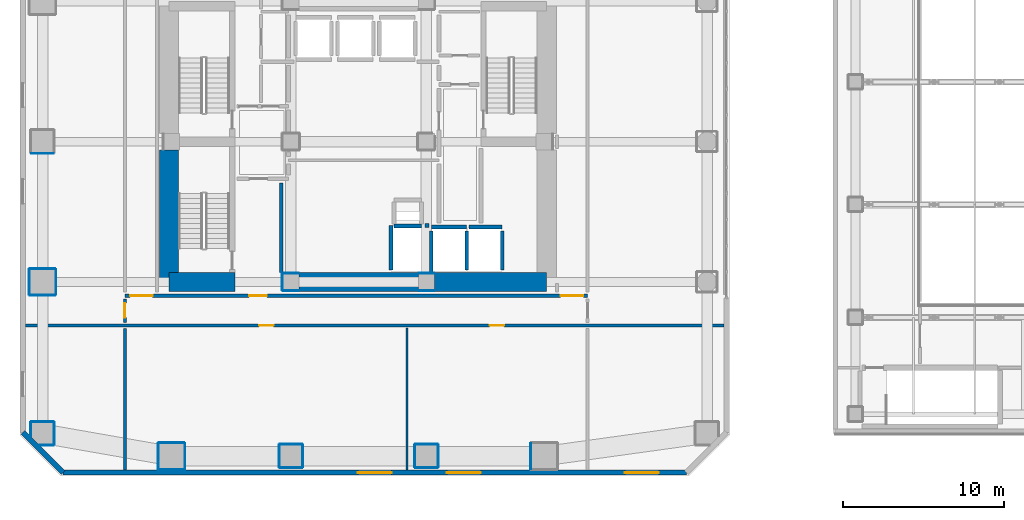
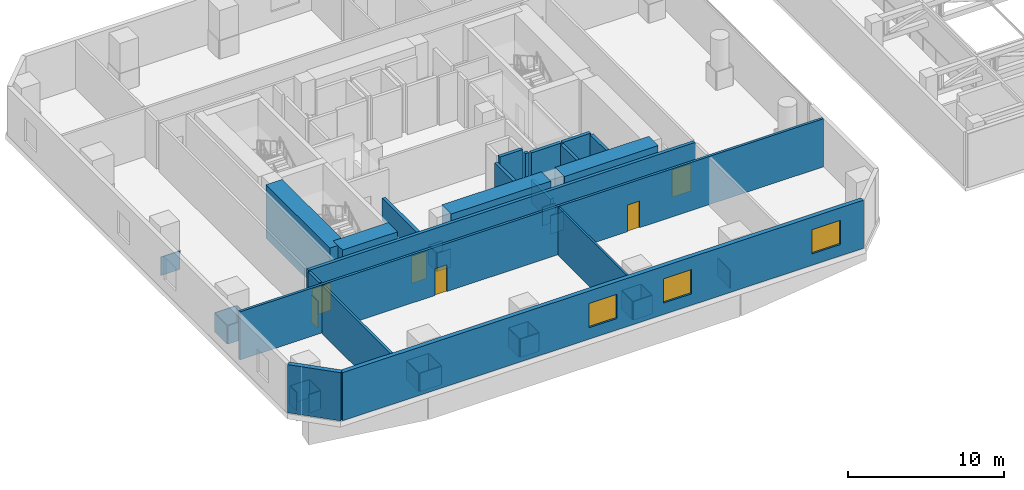
# One storey, part 18 of 25: 47 walls, 6 doors, 3 windows, 9 openings.
"""IFC4 building model written with IfcOpenShell, lengths in metres."""

from ifc_helpers import new_model, si_unit, direction, frame, frame_2d, origin, place, context, subcontext, project, spatial, rectangle, extrude, material, layer, layer_set, type_object, element, fill, save


model = new_model("IFC4")

# Units and contexts
model_context = context("Model", 3, precision=1e-05, world=origin(), true_north=direction((0.0, 1.0)))
body_context = subcontext(model_context, "Body", "Model", "MODEL_VIEW")
ifc_project = project(units=[si_unit("LENGTHUNIT", "METRE"), si_unit("AREAUNIT", "SQUARE_METRE"), si_unit("VOLUMEUNIT", "CUBIC_METRE"), si_unit("PLANEANGLEUNIT", "RADIAN"), si_unit("MASSUNIT", "GRAM", prefix="KILO")], contexts=[model_context])

# Site, building, storey
site_placement = place(None, origin())
site = spatial("IfcSite", under=ifc_project, at=site_placement, CompositionType="ELEMENT")
building_placement = place(site_placement, origin())
building = spatial("IfcBuilding", under=site, at=building_placement, Name="Solanera Arch Residences", CompositionType="ELEMENT")
storey_placement = place(building_placement, frame((0.0, 0.0, 17.800048828125)))
storey = spatial("IfcBuildingStorey", under=building, at=storey_placement, Name="L04", CompositionType="ELEMENT", Elevation=17.800048828125)

# Walls
ifc_material_1 = material(Name="Fire-Rated Gypsum Stud Partition", Category="gypsum")
ifc_layer_1 = layer(ifc_material_1, 0.06005859375)
ifc_layer_set_1 = layer_set([ifc_layer_1], Name="Fire-Rated Gypsum Stud Partition")
wall_type_1 = type_object("IfcWallType", Name="Column Acoustic Furring Wall 60", PredefinedType="PARTITIONING", material=ifc_layer_set_1)
for number, where, z_axis, x_axis, name in (
    (1, (20.300048828125, 21.468017578125, 0.0), (0.0, 0.0, 1.0), (1.0, 0.0, 0.0), "L04 Column Furring 1S"),
    (2, (20.300048828125, 22.531982421875, 0.0), (0.0, 0.0, 1.0), (1.0, 0.0, 0.0), "L04 Column Furring 1N"),
):
    element("IfcWall", number, at=place(storey_placement, frame(where, z_axis=z_axis, x_axis=x_axis)), inside=storey, type_object=wall_type_1, Name=name, PredefinedType="PARTITIONING", context=body_context, shape_type="SweptSolid", body=[
        extrude(rectangle(XDim=0.989990234375, YDim=0.06005859375, at=frame_2d((0.4951171875, 0.0))), origin(), (0.0, 0.0, 1.0), 1.449951171875),
    ])
wall_1_placement = place(storey_placement, frame((20.26806640625, 21.5, 0.0), z_axis=(0.0, 0.0, 1.0), x_axis=(0.0, 1.0, 0.0)))
element("IfcWall", 3, at=wall_1_placement, inside=storey, type_object=wall_type_1, Name="L04 Column Furring 1W", PredefinedType="PARTITIONING", context=body_context, shape_type="SweptSolid", body=[
    extrude(rectangle(XDim=1.0, YDim=0.06005859375, at=frame_2d((0.5, 0.0))), origin(), (0.0, 0.0, 1.0), 1.449951171875),
])
for number, where, z_axis, x_axis, name in (
    (4, (28.7099609375, 21.468017578125, 0.0), (0.0, 0.0, 1.0), (1.0, 0.0, 0.0), "L04 Column Furring 2S"),
    (5, (28.7099609375, 22.531982421875, 0.0), (0.0, 0.0, 1.0), (1.0, 0.0, 0.0), "L04 Column Furring 2N"),
):
    element("IfcWall", number, at=place(storey_placement, frame(where, z_axis=z_axis, x_axis=x_axis)), inside=storey, type_object=wall_type_1, Name=name, PredefinedType="PARTITIONING", context=body_context, shape_type="SweptSolid", body=[
        extrude(rectangle(XDim=0.97998046875, YDim=0.06005859375, at=frame_2d((0.489990234375, 0.0))), origin(), (0.0, 0.0, 1.0), 1.449951171875),
    ])
for number, where, z_axis, x_axis, name in (
    (6, (12.60009765625, 10.367919921875, 0.0), (0.0, 0.0, 1.0), (1.0, 0.0, 0.0), "L04 Column Furring 9S"),
    (7, (12.60009765625, 12.031982421875, 0.0), (0.0, 0.0, 1.0), (1.0, 0.0, 0.0), "L04 Column Furring 9N"),
):
    element("IfcWall", number, at=place(storey_placement, frame(where, z_axis=z_axis, x_axis=x_axis)), inside=storey, type_object=wall_type_1, Name=name, PredefinedType="PARTITIONING", context=body_context, shape_type="SweptSolid", body=[
        extrude(rectangle(XDim=1.599853515625, YDim=0.06005859375, at=frame_2d((0.7998046875, 0.0))), origin(), (0.0, 0.0, 1.0), 1.449951171875),
    ])
for number, where, z_axis, x_axis, name in (
    (8, (12.568115234375, 10.39990234375, 0.0), (0.0, 0.0, 1.0), (0.0, 1.0, 0.0), "L04 Column Furring 9W"),
    (9, (14.23193359375, 10.39990234375, 0.0), (0.0, 0.0, 1.0), (0.0, 1.0, 0.0), "L04 Column Furring 9E"),
    (10, (35.66796875, 10.39990234375, 0.0), (0.0, 0.0, 1.0), (0.0, 1.0, 0.0), "L04 Column Furring 10W"),
):
    element("IfcWall", number, at=place(storey_placement, frame(where, z_axis=z_axis, x_axis=x_axis)), inside=storey, type_object=wall_type_1, Name=name, PredefinedType="PARTITIONING", context=body_context, shape_type="SweptSolid", body=[
        extrude(rectangle(XDim=1.60009765625, YDim=0.06005859375, at=frame_2d((0.800048828125, 0.0))), origin(), (0.0, 0.0, 1.0), 1.449951171875),
    ])
for number, where, z_axis, x_axis, name in (
    (11, (4.60009765625, 21.16796875, 0.0), (0.0, 0.0, 1.0), (1.0, 0.0, 0.0), "L04 Column Furring 15S"),
    (12, (4.60009765625, 22.83203125, 0.0), (0.0, 0.0, 1.0), (1.0, 0.0, 0.0), "L04 Column Furring 15N"),
):
    element("IfcWall", number, at=place(storey_placement, frame(where, z_axis=z_axis, x_axis=x_axis)), inside=storey, type_object=wall_type_1, Name=name, PredefinedType="PARTITIONING", context=body_context, shape_type="SweptSolid", body=[
        extrude(rectangle(XDim=1.599853515625, YDim=0.06005859375, at=frame_2d((0.7998046875, 0.0))), origin(), (0.0, 0.0, 1.0), 1.449951171875),
    ])
for number, where, z_axis, x_axis, name in (
    (13, (4.568115234375, 21.199951171875, 0.0), (0.0, 0.0, 1.0), (0.0, 1.0, 0.0), "L04 Column Furring 15W"),
    (14, (6.23193359375, 21.199951171875, 0.0), (0.0, 0.0, 1.0), (0.0, 1.0, 0.0), "L04 Column Furring 15E"),
):
    element("IfcWall", number, at=place(storey_placement, frame(where, z_axis=z_axis, x_axis=x_axis)), inside=storey, type_object=wall_type_1, Name=name, PredefinedType="PARTITIONING", context=body_context, shape_type="SweptSolid", body=[
        extrude(rectangle(XDim=1.60009765625, YDim=0.06005859375, at=frame_2d((0.800048828125, 0.0))), origin(), (0.0, 0.0, 1.0), 1.449951171875),
    ])
wall_2_placement = place(storey_placement, frame((4.699951171875, 29.968017578125, 0.0), z_axis=(0.0, 0.0, 1.0), x_axis=(1.0, 0.0, 0.0)))
element("IfcWall", 15, at=wall_2_placement, inside=storey, type_object=wall_type_1, Name="L04 Column Furring 16S", PredefinedType="PARTITIONING", context=body_context, shape_type="SweptSolid", body=[
    extrude(rectangle(XDim=1.400146484375, YDim=0.06005859375, at=frame_2d((0.7001953125, 0.0))), origin(), (0.0, 0.0, 1.0), 1.449951171875),
])
wall_3_placement = place(storey_placement, frame((5.239013671875, 11.867919921875, 0.0), z_axis=(0.0, 0.0, 1.0), x_axis=(1.0, 0.0, 0.0)))
element("IfcWall", 16, at=wall_3_placement, inside=storey, type_object=wall_type_1, Name="L04 Column Furring 21S", PredefinedType="PARTITIONING", context=body_context, shape_type="SweptSolid", body=[
    extrude(rectangle(XDim=0.861083984375, YDim=0.06005859375, at=frame_2d((0.4306640625, 0.0))), origin(), (0.0, 0.0, 1.0), 1.449951171875),
])
wall_4_placement = place(storey_placement, frame((4.699951171875, 13.33203125, 0.0), z_axis=(0.0, 0.0, 1.0), x_axis=(1.0, 0.0, 0.0)))
element("IfcWall", 17, at=wall_4_placement, inside=storey, type_object=wall_type_1, Name="L04 Column Furring 21N", PredefinedType="PARTITIONING", context=body_context, shape_type="SweptSolid", body=[
    extrude(rectangle(XDim=1.400146484375, YDim=0.06005859375, at=frame_2d((0.7001953125, 0.0))), origin(), (0.0, 0.0, 1.0), 1.449951171875),
])
wall_5_placement = place(storey_placement, frame((4.66796875, 12.43896484375, 0.0), z_axis=(0.0, 0.0, 1.0), x_axis=(0.0, 1.0, 0.0)))
element("IfcWall", 18, at=wall_5_placement, inside=storey, type_object=wall_type_1, Name="L04 Column Furring 21W", PredefinedType="PARTITIONING", context=body_context, shape_type="SweptSolid", body=[
    extrude(rectangle(XDim=0.861083984375, YDim=0.06005859375, at=frame_2d((0.4306640625, 0.0))), origin(), (0.0, 0.0, 1.0), 1.449951171875),
])
wall_6_placement = place(storey_placement, frame((6.132080078125, 11.89990234375, 0.0), z_axis=(0.0, 0.0, 1.0), x_axis=(0.0, 1.0, 0.0)))
element("IfcWall", 19, at=wall_6_placement, inside=storey, type_object=wall_type_1, Name="L04 Column Furring 21E", PredefinedType="PARTITIONING", context=body_context, shape_type="SweptSolid", body=[
    extrude(rectangle(XDim=1.400146484375, YDim=0.06005859375, at=frame_2d((0.7001953125, 0.0))), origin(), (0.0, 0.0, 1.0), 1.449951171875),
])
for number, where, z_axis, x_axis, name in (
    (20, (20.10009765625, 10.468017578125, 0.0), (0.0, 0.0, 1.0), (1.0, 0.0, 0.0), "L04 Column Furring 25S"),
    (21, (20.10009765625, 11.931884765625, 0.0), (0.0, 0.0, 1.0), (1.0, 0.0, 0.0), "L04 Column Furring 25N"),
    (22, (20.068115234375, 10.5, 0.0), (0.0, 0.0, 1.0), (0.0, 1.0, 0.0), "L04 Column Furring 25W"),
    (23, (21.531982421875, 10.5, 0.0), (0.0, 0.0, 1.0), (0.0, 1.0, 0.0), "L04 Column Furring 25E"),
    (24, (28.5, 10.468017578125, 0.0), (0.0, 0.0, 1.0), (1.0, 0.0, 0.0), "L04 Column Furring 26S"),
    (25, (28.5, 11.931884765625, 0.0), (0.0, 0.0, 1.0), (1.0, 0.0, 0.0), "L04 Column Furring 26N"),
    (26, (28.468017578125, 10.5, 0.0), (0.0, 0.0, 1.0), (0.0, 1.0, 0.0), "L04 Column Furring 26W"),
    (27, (29.931884765625, 10.5, 0.0), (0.0, 0.0, 1.0), (0.0, 1.0, 0.0), "L04 Column Furring 26E"),
):
    element("IfcWall", number, at=place(storey_placement, frame(where, z_axis=z_axis, x_axis=x_axis)), inside=storey, type_object=wall_type_1, Name=name, PredefinedType="PARTITIONING", context=body_context, shape_type="SweptSolid", body=[
        extrude(rectangle(XDim=1.39990234375, YDim=0.06005859375, at=frame_2d((0.699951171875, 0.0))), origin(), (0.0, 0.0, 1.0), 1.449951171875),
    ])
ifc_material_2 = material(Name="Concrete C55/67 (f'c = 60 MPa)", Category="concrete")
ifc_layer_2 = layer(ifc_material_2, 1.199951171875)
ifc_layer_set_2 = layer_set([ifc_layer_2], Name="Concrete C55/67 (f'c = 60 MPa)")
wall_type_2 = type_object("IfcWallType", Name="Core Shear Wall CW-1200", PredefinedType="SHEAR", material=ifc_layer_set_2)
wall_7_placement = place(storey_placement, frame((13.239990234375, 22.0, 0.0), z_axis=(0.0, 0.0, 1.0), x_axis=(0.0, 1.0, 0.0)))
element("IfcWall", 28, at=wall_7_placement, inside=storey, type_object=wall_type_2, Name="L04 West Core South Shear Wall", PredefinedType="SHEAR", context=body_context, shape_type="SweptSolid", body=[
    extrude(rectangle(XDim=8.195068359375, YDim=1.199951171875, at=frame_2d((4.09765625, 0.0))), origin(), (0.0, 0.0, 1.0), 4.199951171875),
])
wall_8_placement = place(storey_placement, frame((13.239990234375, 22.0, 0.0), z_axis=(0.0, 0.0, 1.0), x_axis=(1.0, 0.0, 0.0)))
element("IfcWall", 29, at=wall_8_placement, inside=storey, type_object=wall_type_2, Name="L04 South-West Core Shear Wall", PredefinedType="SHEAR", context=body_context, shape_type="SweptSolid", body=[
    extrude(rectangle(XDim=4.080078125, YDim=1.199951171875, at=frame_2d((2.0400390625, 0.0))), origin(), (0.0, 0.0, 1.0), 4.199951171875),
])
wall_9_placement = place(storey_placement, frame((29.705078125, 22.0, 0.0), z_axis=(0.0, 0.0, 1.0), x_axis=(1.0, 0.0, 0.0)))
element("IfcWall", 30, at=wall_9_placement, inside=storey, type_object=wall_type_2, Name="L04 South-East Core Shear Wall", PredefinedType="SHEAR", context=body_context, shape_type="SweptSolid", body=[
    extrude(rectangle(XDim=6.954833984375, YDim=1.199951171875, at=frame_2d((3.4775390625, 0.0))), origin(), (0.0, 0.0, 1.0), 4.199951171875),
])
wall_10_placement = place(storey_placement, frame((21.304931640625, 22.0, 0.0), z_axis=(0.0, 0.0, 1.0), x_axis=(1.0, 0.0, 0.0)))
element("IfcWall", 31, at=wall_10_placement, inside=storey, type_object=wall_type_2, Name="L04 Central South Core Shear Wall", PredefinedType="SHEAR", context=body_context, shape_type="SweptSolid", body=[
    extrude(rectangle(XDim=7.39013671875, YDim=1.199951171875, at=frame_2d((3.695068359375, 0.0))), origin(), (0.0, 0.0, 1.0), 4.199951171875),
])

# Wall, openings, doors
ifc_material_3 = material(Name="Autoclaved Aerated Concrete Blockwork", Category="masonry")
ifc_layer_3 = layer(ifc_material_3, 0.179931640625)
ifc_layer_set_3 = layer_set([ifc_layer_3], Name="Autoclaved Aerated Concrete Blockwork")
wall_type_3 = type_object("IfcWallType", Name="Corridor Fire Partition 180", PredefinedType="PARTITIONING", material=ifc_layer_set_3)
wall_11_placement = place(storey_placement, frame((4.35205078125, 19.300048828125, 0.0), z_axis=(0.0, 0.0, 1.0), x_axis=(1.0, 0.0, 0.0)))
wall_11 = element("IfcWall", 32, at=wall_11_placement, inside=storey, type_object=wall_type_3, Name="L04 Interior Partition H11", PredefinedType="PARTITIONING", context=body_context, shape_type="SweptSolid", body=[
    extrude(rectangle(XDim=43.2958984375, YDim=0.179931640625, at=frame_2d((21.64794921875, 0.0))), origin(), (0.0, 0.0, 1.0), 3.780029296875),
])
opening_1_placement = place(wall_11_placement, frame((14.471923828125, 0.0, 0.0)))
opening_1 = element("IfcOpeningElement", 33, at=opening_1_placement, cuts=wall_11, Name="Opening DI-02", PredefinedType="OPENING", context=body_context, shape_type="SweptSolid", body=[
    extrude(rectangle(XDim=0.89990234375, YDim=2.10009765625, at=frame_2d((0.449951171875, 1.050048828125))), frame((0.0, 0.10009765625, 0.0), z_axis=(0.0, -1.0, 0.0), x_axis=(1.0, 0.0, 0.0)), (0.0, 0.0, 1.0), 0.1999),
])
opening_2_placement = place(wall_11_placement, frame((28.77392578125, 0.0, 0.0)))
opening_2 = element("IfcOpeningElement", 34, at=opening_2_placement, cuts=wall_11, Name="Opening DI-02", PredefinedType="OPENING", context=body_context, shape_type="SweptSolid", body=[
    extrude(rectangle(XDim=0.89990234375, YDim=2.10009765625, at=frame_2d((0.449951171875, 1.050048828125))), frame((0.0, 0.10009765625, 0.0), z_axis=(0.0, -1.0, 0.0), x_axis=(1.0, 0.0, 0.0)), (0.0, 0.0, 1.0), 0.1999),
])
ifc_material_4 = material(Name="Fire-Rated Architectural Hardwood", Category="wood")
door_type_1 = type_object("IfcDoorType", Name="Suite Room Swing Door DI-02", OperationType="NOTDEFINED", PredefinedType="DOOR", material=ifc_material_4)
door_1_placement = place(opening_1_placement, origin())
door_1 = element("IfcDoor", 35, at=door_1_placement, inside=storey, type_object=door_type_1, Name="DR-L04-IN-026", OperationType="SINGLE_SWING_LEFT", OverallHeight=2.10009765625, OverallWidth=0.89990234375, PredefinedType="DOOR", context=body_context, shape_type="SweptSolid", body=[
    extrude(rectangle(XDim=0.89990234375, YDim=2.10009765625, at=frame_2d((0.449951171875, 1.050048828125))), frame((0.0, 0.02490234375, 0.0), z_axis=(0.0, -1.0, 0.0), x_axis=(1.0, 0.0, 0.0)), (0.0, 0.0, 1.0), 0.050048828125),
])
fill(opening_1, door_1)
door_2_placement = place(opening_2_placement, origin())
door_2 = element("IfcDoor", 36, at=door_2_placement, inside=storey, type_object=door_type_1, Name="DR-L04-IN-027", OperationType="SINGLE_SWING_RIGHT", OverallHeight=2.10009765625, OverallWidth=0.89990234375, PredefinedType="DOOR", context=body_context, shape_type="SweptSolid", body=[
    extrude(rectangle(XDim=0.89990234375, YDim=2.10009765625, at=frame_2d((0.449951171875, 1.050048828125))), frame((0.0, 0.02490234375, 0.0), z_axis=(0.0, -1.0, 0.0), x_axis=(1.0, 0.0, 0.0)), (0.0, 0.0, 1.0), 0.050048828125),
])
fill(opening_2, door_2)

# Wall
wall_12_placement = place(storey_placement, frame((10.5, 10.35205078125, 0.0), z_axis=(0.0, 0.0, 1.0), x_axis=(0.0, 1.0, 0.0)))
element("IfcWall", 37, at=wall_12_placement, inside=storey, type_object=wall_type_3, Name="L04 Interior Partition V10 1", PredefinedType="PARTITIONING", context=body_context, shape_type="SweptSolid", body=[
    extrude(rectangle(XDim=8.760009765625, YDim=0.179931640625, at=frame_2d((4.3798828125, 0.0))), origin(), (0.0, 0.0, 1.0), 3.780029296875),
])

# Wall, opening, door
wall_13_placement = place(storey_placement, frame((10.5, 19.488037109375, 0.0), z_axis=(0.0, 0.0, 1.0), x_axis=(0.0, 1.0, 0.0)))
wall_13 = element("IfcWall", 38, at=wall_13_placement, inside=storey, type_object=wall_type_3, Name="L04 Interior Partition V10 2", PredefinedType="PARTITIONING", context=body_context, shape_type="SweptSolid", body=[
    extrude(rectangle(XDim=1.44384765625, YDim=0.179931640625, at=frame_2d((0.721923828125, 0.0))), origin(), (0.0, 0.0, 1.0), 3.780029296875),
])
opening_3_placement = place(wall_13_placement, frame((0.301025390625, 0.0, 0.0)))
opening_3 = element("IfcOpeningElement", 39, at=opening_3_placement, cuts=wall_13, Name="Opening DI-02", PredefinedType="OPENING", context=body_context, shape_type="SweptSolid", body=[
    extrude(rectangle(XDim=0.89990234375, YDim=2.10009765625, at=frame_2d((0.449951171875, 1.050048828125))), frame((0.0, 0.10009765625, 0.0), z_axis=(0.0, -1.0, 0.0), x_axis=(1.0, 0.0, 0.0)), (0.0, 0.0, 1.0), 0.1999),
])
door_3_placement = place(opening_3_placement, origin())
door_3 = element("IfcDoor", 40, at=door_3_placement, inside=storey, type_object=door_type_1, Name="DR-L04-IN-028", OperationType="SINGLE_SWING_LEFT", OverallHeight=2.10009765625, OverallWidth=0.89990234375, PredefinedType="DOOR", context=body_context, shape_type="SweptSolid", body=[
    extrude(rectangle(XDim=0.89990234375, YDim=2.10009765625, at=frame_2d((0.449951171875, 1.050048828125))), frame((0.0, 0.02490234375, 0.0), z_axis=(0.0, -1.0, 0.0), x_axis=(1.0, 0.0, 0.0)), (0.0, 0.0, 1.0), 0.050048828125),
])
fill(opening_3, door_3)

# Wall, openings, windows
ifc_material_5 = material(Name="Precast Concrete C35/45", Category="concrete")
ifc_layer_4 = layer(ifc_material_5, 0.320068359375)
ifc_layer_set_4 = layer_set([ifc_layer_4], Name="Precast Concrete C35/45")
wall_type_4 = type_object("IfcWallType", Name="Exterior Wall Precast Masonry-Frame 320", PredefinedType="STANDARD", material=ifc_layer_set_4)
wall_14_placement = place(storey_placement, frame((45.320068359375, 10.179931640625, 0.0), z_axis=(0.0, 0.0, 1.0), x_axis=(-1.0, 0.0, 0.0)))
wall_14 = element("IfcWall", 41, at=wall_14_placement, inside=storey, type_object=wall_type_4, Name="L04 Podium Precast Masonry-Frame Wall 7", PredefinedType="STANDARD", context=body_context, shape_type="SweptSolid", body=[
    extrude(rectangle(XDim=38.64013671875, YDim=0.320068359375, at=frame_2d((19.320068359375, 0.0))), origin(), (0.0, 0.0, 1.0), 3.780029296875),
])
opening_4_placement = place(wall_14_placement, frame((1.7099609375, 0.0, 0.89990234375)))
opening_4 = element("IfcOpeningElement", 42, at=opening_4_placement, cuts=wall_14, Name="Opening W-04", PredefinedType="OPENING", context=body_context, shape_type="SweptSolid", body=[
    extrude(rectangle(XDim=2.10009765625, YDim=1.89990234375, at=frame_2d((1.050048828125, 0.949951171875))), frame((0.0, 0.169921875, 0.0), z_axis=(0.0, -1.0, 0.0), x_axis=(1.0, 0.0, 0.0)), (0.0, 0.0, 1.0), 0.3401),
])
opening_5_placement = place(wall_14_placement, frame((12.75, 0.0, 0.89990234375)))
opening_5 = element("IfcOpeningElement", 43, at=opening_5_placement, cuts=wall_14, Name="Opening W-04", PredefinedType="OPENING", context=body_context, shape_type="SweptSolid", body=[
    extrude(rectangle(XDim=2.10009765625, YDim=1.89990234375, at=frame_2d((1.050048828125, 0.949951171875))), frame((0.0, 0.169921875, 0.0), z_axis=(0.0, -1.0, 0.0), x_axis=(1.0, 0.0, 0.0)), (0.0, 0.0, 1.0), 0.3401),
])
opening_6_placement = place(wall_14_placement, frame((18.27001953125, 0.0, 0.89990234375)))
opening_6 = element("IfcOpeningElement", 44, at=opening_6_placement, cuts=wall_14, Name="Opening W-04", PredefinedType="OPENING", context=body_context, shape_type="SweptSolid", body=[
    extrude(rectangle(XDim=2.10009765625, YDim=1.89990234375, at=frame_2d((1.050048828125, 0.949951171875))), frame((0.0, 0.169921875, 0.0), z_axis=(0.0, -1.0, 0.0), x_axis=(1.0, 0.0, 0.0)), (0.0, 0.0, 1.0), 0.3401),
])
ifc_material_6 = material(Name="Double Glazed Low-E Laminated Glass", Category="glass")
window_type = type_object("IfcWindowType", Name="Punched Window W-04", PartitioningType="DOUBLE_PANEL_VERTICAL", PredefinedType="WINDOW", material=ifc_material_6)
window_1_placement = place(opening_4_placement, origin())
window_1 = element("IfcWindow", 45, at=window_1_placement, inside=storey, type_object=window_type, Name="L04 Podium Window 7.1", OverallHeight=1.89990234375, OverallWidth=2.10009765625, PartitioningType="SINGLE_PANEL", PredefinedType="WINDOW", context=body_context, shape_type="SweptSolid", body=[
    extrude(rectangle(XDim=2.10009765625, YDim=1.89990234375, at=frame_2d((1.050048828125, 0.949951171875))), frame((0.0, 0.030029296875, 0.0), z_axis=(0.0, -1.0, 0.0), x_axis=(1.0, 0.0, 0.0)), (0.0, 0.0, 1.0), 0.06005859375),
])
fill(opening_4, window_1)
window_2_placement = place(opening_5_placement, origin())
window_2 = element("IfcWindow", 46, at=window_2_placement, inside=storey, type_object=window_type, Name="L04 Podium Window 7.3", OverallHeight=1.89990234375, OverallWidth=2.10009765625, PartitioningType="SINGLE_PANEL", PredefinedType="WINDOW", context=body_context, shape_type="SweptSolid", body=[
    extrude(rectangle(XDim=2.10009765625, YDim=1.89990234375, at=frame_2d((1.050048828125, 0.949951171875))), frame((0.0, 0.030029296875, 0.0), z_axis=(0.0, -1.0, 0.0), x_axis=(1.0, 0.0, 0.0)), (0.0, 0.0, 1.0), 0.06005859375),
])
fill(opening_5, window_2)
window_3_placement = place(opening_6_placement, origin())
window_3 = element("IfcWindow", 47, at=window_3_placement, inside=storey, type_object=window_type, Name="L04 Podium Window 7.4", OverallHeight=1.89990234375, OverallWidth=2.10009765625, PartitioningType="SINGLE_PANEL", PredefinedType="WINDOW", context=body_context, shape_type="SweptSolid", body=[
    extrude(rectangle(XDim=2.10009765625, YDim=1.89990234375, at=frame_2d((1.050048828125, 0.949951171875))), frame((0.0, 0.030029296875, 0.0), z_axis=(0.0, -1.0, 0.0), x_axis=(1.0, 0.0, 0.0)), (0.0, 0.0, 1.0), 0.06005859375),
])
fill(opening_6, window_3)

# Walls
wall_15_placement = place(storey_placement, frame((6.679931640625, 10.179931640625, 0.0), z_axis=(0.0, 0.0, 1.0), x_axis=(-0.707106781187, 0.707106781187, 0.0)))
element("IfcWall", 48, at=wall_15_placement, inside=storey, type_object=wall_type_4, Name="L04 Podium Precast Masonry-Frame Wall 8", PredefinedType="STANDARD", context=body_context, shape_type="SweptSolid", body=[
    extrude(rectangle(XDim=3.53564453125, YDim=0.320068359375, at=frame_2d((1.767822265625, 0.0))), origin(), (0.0, 0.0, 1.0), 3.780029296875),
])
ifc_material_7 = material(Name="Concrete C40/50 (f'c = 45 MPa)", Category="concrete")
ifc_layer_5 = layer(ifc_material_7, 0.239990234375)
ifc_layer_set_5 = layer_set([ifc_layer_5], Name="Concrete C40/50 (f'c = 45 MPa)")
wall_type_5 = type_object("IfcWallType", Name="Ramp Bearing Shear Wall RW-240", PredefinedType="SHEAR", material=ifc_layer_set_5)
wall_16_placement = place(storey_placement, frame((27.199951171875, 25.47998046875, 0.0), z_axis=(0.0, 0.0, 1.0), x_axis=(1.0, 0.0, 0.0)))
element("IfcWall", 49, at=wall_16_placement, inside=storey, type_object=wall_type_5, Name="L04 Core MEP Riser South Shaft Wall", PredefinedType="SHEAR", context=body_context, shape_type="SweptSolid", body=[
    extrude(rectangle(XDim=1.699951171875, YDim=0.239990234375, at=frame_2d((0.85009765625, 0.0))), origin(), (0.0, 0.0, 1.0), 4.199951171875),
])
ifc_material_8 = material(Name="Autoclaved Aerated Concrete Blockwork", Category="masonry")
ifc_layer_6 = layer(ifc_material_8, 0.239990234375)
ifc_layer_set_6 = layer_set([ifc_layer_6], Name="Autoclaved Aerated Concrete Blockwork")
wall_type_6 = type_object("IfcWallType", Name="Shaft Wall Fire-Rated 240", PredefinedType="PARTITIONING", material=ifc_layer_set_6)
wall_17_placement = place(storey_placement, frame((29.5, 25.39990234375, 0.0), z_axis=(0.0, 0.0, 1.0), x_axis=(1.0, 0.0, 0.0)))
element("IfcWall", 50, at=wall_17_placement, inside=storey, type_object=wall_type_6, Name="L04 Lift FFL-1 Hoistway Wall N", PredefinedType="PARTITIONING", context=body_context, shape_type="SweptSolid", body=[
    extrude(rectangle(XDim=2.199951171875, YDim=0.239990234375, at=frame_2d((1.10009765625, 0.0))), origin(), (0.0, 0.0, 1.0), 3.780029296875),
])
wall_18_placement = place(storey_placement, frame((29.5, 22.632080078125, 0.0), z_axis=(0.0, 0.0, 1.0), x_axis=(0.0, 1.0, 0.0)))
element("IfcWall", 51, at=wall_18_placement, inside=storey, type_object=wall_type_6, Name="L04 Lift FFL-1 Hoistway Wall W", PredefinedType="PARTITIONING", context=body_context, shape_type="SweptSolid", body=[
    extrude(rectangle(XDim=2.52001953125, YDim=0.239990234375, at=frame_2d((1.260009765625, 0.0))), origin(), (0.0, 0.0, 1.0), 1.784912109375),
])
wall_19_placement = place(storey_placement, frame((31.699951171875, 22.72998046875, 0.0), z_axis=(0.0, 0.0, 1.0), x_axis=(0.0, 1.0, 0.0)))
element("IfcWall", 52, at=wall_19_placement, inside=storey, type_object=wall_type_6, Name="L04 Lift FFL-1 Hoistway Wall E", PredefinedType="PARTITIONING", context=body_context, shape_type="SweptSolid", body=[
    extrude(rectangle(XDim=2.422119140625, YDim=0.239990234375, at=frame_2d((1.2109375, 0.0))), origin(), (0.0, 0.0, 1.0), 3.780029296875),
])
wall_20_placement = place(storey_placement, frame((31.827880859375, 25.39990234375, 0.0), z_axis=(0.0, 0.0, 1.0), x_axis=(1.0, 0.0, 0.0)))
element("IfcWall", 53, at=wall_20_placement, inside=storey, type_object=wall_type_6, Name="L04 Lift FFL-2 Hoistway Wall N", PredefinedType="PARTITIONING", context=body_context, shape_type="SweptSolid", body=[
    extrude(rectangle(XDim=2.072021484375, YDim=0.239990234375, at=frame_2d((1.0361328125, 0.0))), origin(), (0.0, 0.0, 1.0), 3.780029296875),
])
wall_21_placement = place(storey_placement, frame((33.89990234375, 22.72998046875, 0.0), z_axis=(0.0, 0.0, 1.0), x_axis=(0.0, 1.0, 0.0)))
element("IfcWall", 54, at=wall_21_placement, inside=storey, type_object=wall_type_6, Name="L04 Lift FFL-2 Hoistway Wall E", PredefinedType="PARTITIONING", context=body_context, shape_type="SweptSolid", body=[
    extrude(rectangle(XDim=2.422119140625, YDim=0.239990234375, at=frame_2d((1.2109375, 0.0))), origin(), (0.0, 0.0, 1.0), 3.780029296875),
])
wall_22_placement = place(storey_placement, frame((29.10302734375, 25.5, 0.0), z_axis=(0.0, 0.0, 1.0), x_axis=(1.0, 0.0, 0.0)))
element("IfcWall", 55, at=wall_22_placement, inside=storey, type_object=wall_type_6, Name="L04 Lift SVL-1 Hoistway Wall N", PredefinedType="PARTITIONING", context=body_context, shape_type="SweptSolid", body=[
    extrude(rectangle(XDim=0.26904296875, YDim=0.239990234375, at=frame_2d((0.134521484375, 0.0))), origin(), (0.0, 0.0, 1.0), 3.780029296875),
])
wall_23_placement = place(storey_placement, frame((27.0, 22.72998046875, 0.0), z_axis=(0.0, 0.0, 1.0), x_axis=(0.0, 1.0, 0.0)))
element("IfcWall", 56, at=wall_23_placement, inside=storey, type_object=wall_type_6, Name="L04 Lift SVL-1 Hoistway Wall W", PredefinedType="PARTITIONING", context=body_context, shape_type="SweptSolid", body=[
    extrude(rectangle(XDim=2.76806640625, YDim=0.239990234375, at=frame_2d((1.384033203125, 0.0))), origin(), (0.0, 0.0, 1.0), 3.780029296875),
])

# Wall, openings, doors
wall_24_placement = place(storey_placement, frame((10.5, 21.14990234375, 0.0), z_axis=(0.0, 0.0, 1.0), x_axis=(1.0, 0.0, 0.0)))
wall_24 = element("IfcWall", 57, at=wall_24_placement, inside=storey, type_object=wall_type_6, Name="L04 Interior Partition H1", PredefinedType="PARTITIONING", context=body_context, shape_type="SweptSolid", body=[
    extrude(rectangle(XDim=28.699951171875, YDim=0.239990234375, at=frame_2d((14.35009765625, 0.0))), origin(), (0.0, 0.0, 1.0), 3.780029296875),
])
opening_7_placement = place(wall_24_placement, frame((7.7099609375, 0.0, 0.0)))
opening_7 = element("IfcOpeningElement", 58, at=opening_7_placement, cuts=wall_24, Name="Opening DF-02", PredefinedType="OPENING", context=body_context, shape_type="SweptSolid", body=[
    extrude(rectangle(XDim=1.10009765625, YDim=2.14990234375, at=frame_2d((0.550048828125, 1.074951171875))), frame((0.0, 0.1298828125, 0.0), z_axis=(0.0, -1.0, 0.0), x_axis=(1.0, 0.0, 0.0)), (0.0, 0.0, 1.0), 0.26),
])
opening_8_placement = place(wall_24_placement, frame((0.323974609375, 0.0, 0.0)))
opening_8 = element("IfcOpeningElement", 59, at=opening_8_placement, cuts=wall_24, Name="Opening DF-03", PredefinedType="OPENING", context=body_context, shape_type="SweptSolid", body=[
    extrude(rectangle(XDim=1.39990234375, YDim=2.14990234375, at=frame_2d((0.699951171875, 1.074951171875))), frame((0.0, 0.1298828125, 0.0), z_axis=(0.0, -1.0, 0.0), x_axis=(1.0, 0.0, 0.0)), (0.0, 0.0, 1.0), 0.26),
])
opening_9_placement = place(wall_24_placement, frame((27.02587890625, 0.0, 0.0)))
opening_9 = element("IfcOpeningElement", 60, at=opening_9_placement, cuts=wall_24, Name="Opening DF-03", PredefinedType="OPENING", context=body_context, shape_type="SweptSolid", body=[
    extrude(rectangle(XDim=1.39990234375, YDim=2.14990234375, at=frame_2d((0.699951171875, 1.074951171875))), frame((0.0, 0.1298828125, 0.0), z_axis=(0.0, -1.0, 0.0), x_axis=(1.0, 0.0, 0.0)), (0.0, 0.0, 1.0), 0.26),
])
ifc_material_9 = material(Name="Fire-Rated Architectural Hardwood", Category="wood")
door_type_2 = type_object("IfcDoorType", Name="Corridor Smoke Door DF-03", OperationType="NOTDEFINED", PredefinedType="DOOR", material=ifc_material_9)
door_4_placement = place(opening_8_placement, origin())
door_4 = element("IfcDoor", 61, at=door_4_placement, inside=storey, type_object=door_type_2, Name="DR-L04-IN-014", OperationType="SINGLE_SWING_LEFT", OverallHeight=2.14990234375, OverallWidth=1.39990234375, PredefinedType="DOOR", context=body_context, shape_type="SweptSolid", body=[
    extrude(rectangle(XDim=1.39990234375, YDim=2.14990234375, at=frame_2d((0.699951171875, 1.074951171875))), frame((0.0, 0.02490234375, 0.0), z_axis=(0.0, -1.0, 0.0), x_axis=(1.0, 0.0, 0.0)), (0.0, 0.0, 1.0), 0.050048828125),
])
fill(opening_8, door_4)
door_5_placement = place(opening_9_placement, origin())
door_5 = element("IfcDoor", 62, at=door_5_placement, inside=storey, type_object=door_type_2, Name="DR-L04-IN-015", OperationType="SINGLE_SWING_RIGHT", OverallHeight=2.14990234375, OverallWidth=1.39990234375, PredefinedType="DOOR", context=body_context, shape_type="SweptSolid", body=[
    extrude(rectangle(XDim=1.39990234375, YDim=2.14990234375, at=frame_2d((0.699951171875, 1.074951171875))), frame((0.0, 0.02490234375, 0.0), z_axis=(0.0, -1.0, 0.0), x_axis=(1.0, 0.0, 0.0)), (0.0, 0.0, 1.0), 0.050048828125),
])
fill(opening_9, door_5)
ifc_material_10 = material(Name="Fire-Rated Architectural Hardwood", Category="wood")
door_type_3 = type_object("IfcDoorType", Name="Firefighting Lobby Fire Door DF-02", OperationType="NOTDEFINED", PredefinedType="DOOR", material=ifc_material_10)
door_6_placement = place(opening_7_placement, origin())
door_6 = element("IfcDoor", 63, at=door_6_placement, inside=storey, type_object=door_type_3, Name="DR-L04-IN-012", OperationType="SINGLE_SWING_LEFT", OverallHeight=2.14990234375, OverallWidth=1.10009765625, PredefinedType="DOOR", context=body_context, shape_type="SweptSolid", body=[
    extrude(rectangle(XDim=1.10009765625, YDim=2.14990234375, at=frame_2d((0.550048828125, 1.074951171875))), frame((0.0, 0.02490234375, 0.0), z_axis=(0.0, -1.0, 0.0), x_axis=(1.0, 0.0, 0.0)), (0.0, 0.0, 1.0), 0.050048828125),
])
fill(opening_7, door_6)

# Walls
wall_25_placement = place(storey_placement, frame((20.199951171875, 22.5859375, 0.0), z_axis=(0.0, 0.0, 1.0), x_axis=(0.0, 1.0, 0.0)))
element("IfcWall", 64, at=wall_25_placement, inside=storey, type_object=wall_type_6, Name="L04 Interior Partition V2", PredefinedType="PARTITIONING", context=body_context, shape_type="SweptSolid", body=[
    extrude(rectangle(XDim=5.566162109375, YDim=0.239990234375, at=frame_2d((2.783203125, 0.0))), origin(), (0.0, 0.0, 1.0), 1.784912109375),
])
ifc_material_11 = material(Name="Autoclaved Aerated Concrete Blockwork", Category="masonry")
ifc_layer_7 = layer(ifc_material_11, 0.139892578125)
ifc_layer_set_7 = layer_set([ifc_layer_7], Name="Autoclaved Aerated Concrete Blockwork")
wall_type_7 = type_object("IfcWallType", Name="Wet-Room Partition 140", PredefinedType="PARTITIONING", material=ifc_layer_set_7)
wall_26_placement = place(storey_placement, frame((28.0, 10.35205078125, 0.0), z_axis=(0.0, 0.0, 1.0), x_axis=(0.0, 1.0, 0.0)))
element("IfcWall", 65, at=wall_26_placement, inside=storey, type_object=wall_type_7, Name="L04 Interior Partition V20", PredefinedType="PARTITIONING", context=body_context, shape_type="SweptSolid", body=[
    extrude(rectangle(XDim=8.780029296875, YDim=0.139892578125, at=frame_2d((4.39013671875, 0.0))), origin(), (0.0, 0.0, 1.0), 3.780029296875),
])

save(model, "model.ifc")
